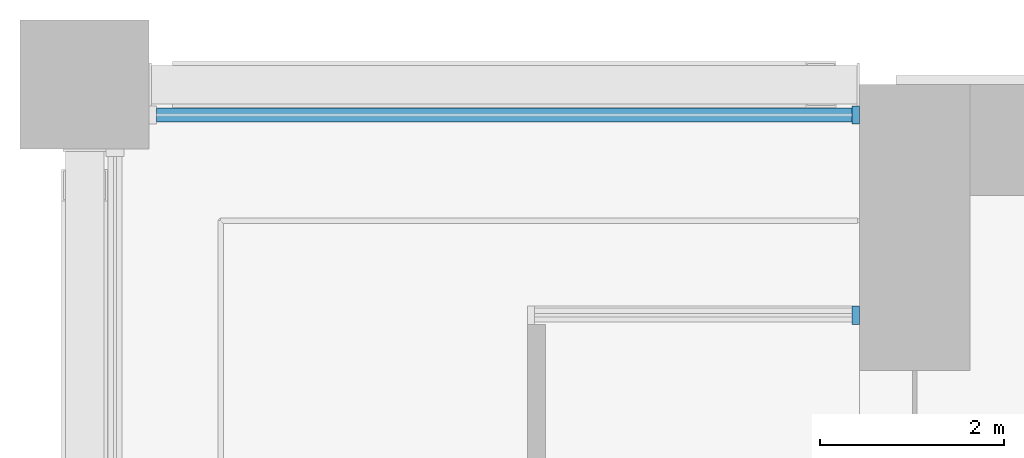
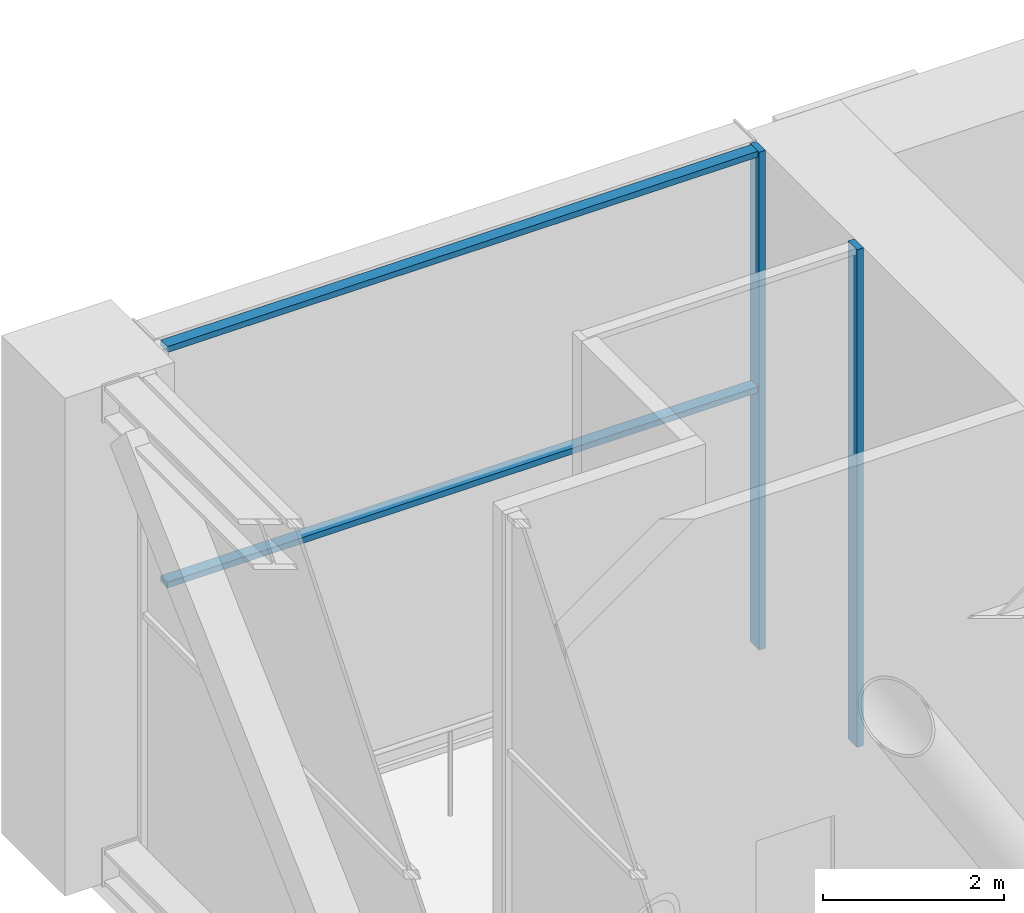
# One storey, part 6 of 28: 4 members, 2 elements without a shape of their own.
"""IFC4 building model written with IfcOpenShell, lengths in metres."""

from ifc_helpers import new_model, si_unit, direction, frame, origin, origin_2d, place, context, subcontext, project, spatial, rectangle, extrude, material, material_profile, profile_set, type_object, element, aggregate, save


model = new_model("IFC4")

# Units and contexts
model_context = context("Model", 3, precision=1e-05, world=origin(), true_north=direction((0.0, 1.0)))
body_context = subcontext(model_context, "Body", "Model", "MODEL_VIEW")
ifc_project = project(units=[si_unit("LENGTHUNIT", "METRE"), si_unit("AREAUNIT", "SQUARE_METRE"), si_unit("VOLUMEUNIT", "CUBIC_METRE"), si_unit("PLANEANGLEUNIT", "RADIAN"), si_unit("MASSUNIT", "GRAM", prefix="KILO")], contexts=[model_context])

# Site, building, storey
site_placement = place(None, origin())
site = spatial("IfcSite", under=ifc_project, at=site_placement, CompositionType="ELEMENT")
building_placement = place(site_placement, origin())
building = spatial("IfcBuilding", under=site, at=building_placement, Name="Vermilion Gate Residences", CompositionType="ELEMENT")
storey_placement = place(building_placement, frame((0.0, 0.0, 74.199951171875)))
storey = spatial("IfcBuildingStorey", under=building, at=storey_placement, Name="L18", CompositionType="ELEMENT", Elevation=74.199951171875)

# Curtain wall, member
ifc_material_1 = material(Name="Aluminium and glass", Category="aluminium")
curtain_wall_type = type_object("IfcCurtainWallType", Name="SKY GARDEN GLAZING CURTAIN WALL", PredefinedType="NOTDEFINED", material=ifc_material_1)
curtain_wall_1_placement = place(storey_placement, origin())
curtain_wall_1 = element("IfcCurtainWall", 1, at=curtain_wall_1_placement, inside=storey, type_object=curtain_wall_type, Name="Sky Garden Glazing 0", PredefinedType="NOTDEFINED")
ifc_material_2 = material(Name="Aluminium", Category="aluminium")
ifc_material_profile_1 = material_profile(ifc_material_2, rectangle(XDim=0.199951171875, YDim=0.080078125, at=origin_2d()), Name="MULLION 80 X 200")
ifc_profile_set_1 = profile_set([ifc_material_profile_1], Name="Aluminium")
member_type_1 = type_object("IfcMemberType", Name="SKY GARDEN GLAZING MULLION 80 X 200", PredefinedType="MULLION", material=ifc_profile_set_1)
member_1_placement = place(storey_placement, frame((8.360107421875, 56.300048828125, 0.0), z_axis=(0.0, 0.0, 1.0), x_axis=(0.0, -1.0, 0.0)))
member_1 = element("IfcMember", 2, at=member_1_placement, type_object=member_type_1, Name="ECW3 mullion 1", PredefinedType="MULLION", context=body_context, shape_type="SweptSolid", body=[
    extrude(rectangle(XDim=0.199951171875, YDim=0.080078125, at=origin_2d()), origin(), (0.0, 0.0, 1.0), 6.719970703125),
])
aggregate(curtain_wall_1, [member_1])

# Curtain wall, members
curtain_wall_2_placement = place(storey_placement, origin())
curtain_wall_2 = element("IfcCurtainWall", 3, at=curtain_wall_2_placement, inside=storey, type_object=curtain_wall_type, Name="Sky Garden Glazing 521", PredefinedType="NOTDEFINED")
member_2_placement = place(storey_placement, frame((8.360107421875, 58.469970703125, 0.0), z_axis=(0.0, 0.0, 1.0), x_axis=(0.0, -1.0, 0.0)))
member_2 = element("IfcMember", 4, at=member_2_placement, type_object=member_type_1, Name="ECW3 mullion 1", PredefinedType="MULLION", context=body_context, shape_type="SweptSolid", body=[
    extrude(rectangle(XDim=0.199951171875, YDim=0.080078125, at=origin_2d()), origin(), (0.0, 0.0, 1.0), 6.719970703125),
])
ifc_material_3 = material(Name="Aluminium", Category="aluminium")
ifc_material_profile_2 = material_profile(ifc_material_3, rectangle(XDim=0.14990234375, YDim=0.080078125, at=origin_2d()), Name="TRANSOM 80 X 150")
ifc_profile_set_2 = profile_set([ifc_material_profile_2], Name="Aluminium")
member_type_2 = type_object("IfcMemberType", Name="SKY GARDEN GLAZING TRANSOM 80 X 150", PredefinedType="MULLION", material=ifc_profile_set_2)
member_3_placement = place(storey_placement, frame((8.320068359375, 58.469970703125, 3.5), z_axis=(-1.0, 0.0, 0.0), x_axis=(0.0, -1.0, 0.0)))
member_3 = element("IfcMember", 5, at=member_3_placement, type_object=member_type_2, Name="ECW3 transom 1.2", PredefinedType="MULLION", context=body_context, shape_type="SweptSolid", body=[
    extrude(rectangle(XDim=0.14990234375, YDim=0.080078125, at=origin_2d()), origin(), (0.0, 0.0, 1.0), 7.5400390625),
])
member_4_placement = place(storey_placement, frame((8.320068359375, 58.469970703125, 6.679931640625), z_axis=(-1.0, 0.0, 0.0), x_axis=(0.0, -1.0, 0.0)))
member_4 = element("IfcMember", 6, at=member_4_placement, type_object=member_type_2, Name="ECW3 transom 1.3", PredefinedType="MULLION", context=body_context, shape_type="SweptSolid", body=[
    extrude(rectangle(XDim=0.14990234375, YDim=0.080078125, at=origin_2d()), origin(), (0.0, 0.0, 1.0), 7.5400390625),
])
aggregate(curtain_wall_2, [member_2, member_3, member_4])

save(model, "model.ifc")
